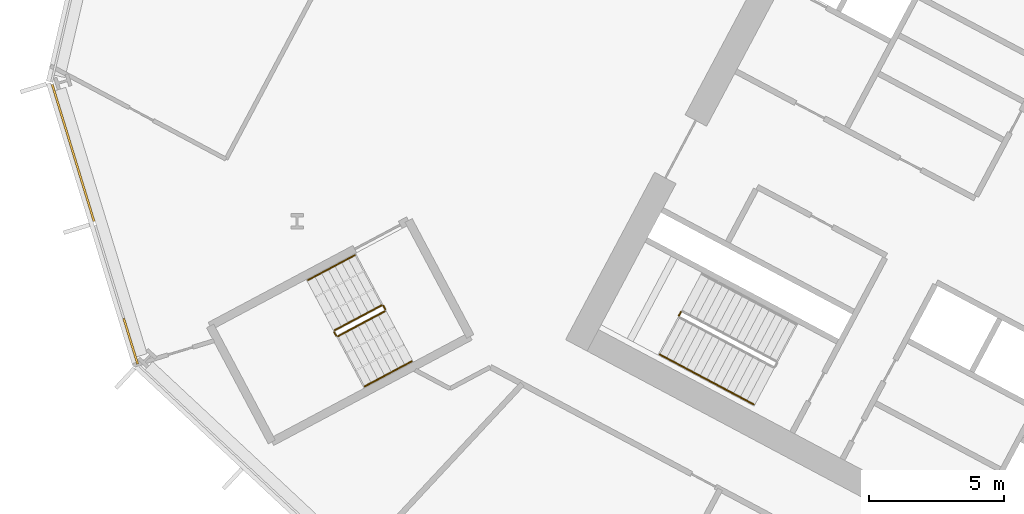
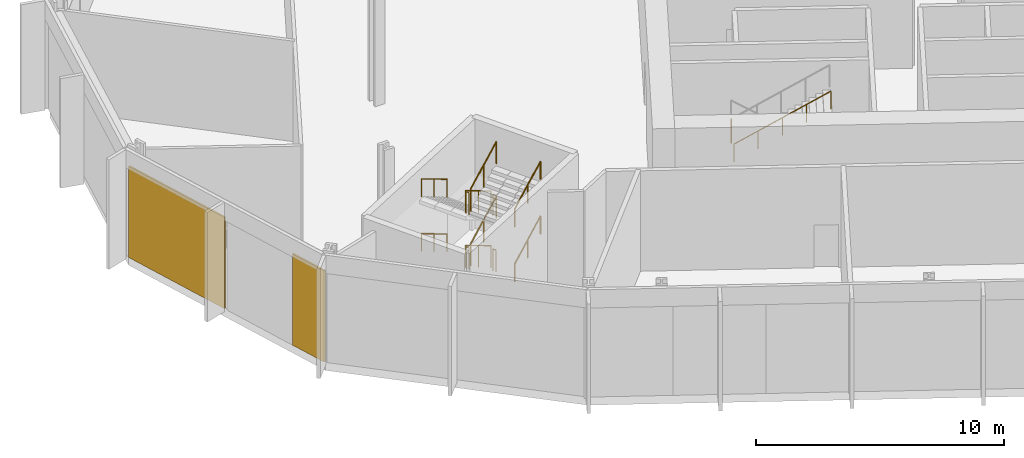
# One storey, part 22 of 31: 14 railings, 2 coverings, 1 element without a shape of its own.
"""IFC4 building model written with IfcOpenShell, lengths in metres."""

from ifc_helpers import new_model, si_unit, direction, frame, origin, origin_2d, place, context, subcontext, project, spatial, polyline, rectangle, outline, extrude, material, layer, layer_set, type_object, element, aggregate, save


model = new_model("IFC4")

# Units and contexts
model_context = context("Model", 3, precision=1e-05, world=origin(), true_north=direction((0.0, 1.0)))
body_context = subcontext(model_context, "Body", "Model", "MODEL_VIEW")
ifc_project = project(units=[si_unit("LENGTHUNIT", "METRE"), si_unit("AREAUNIT", "SQUARE_METRE"), si_unit("VOLUMEUNIT", "CUBIC_METRE"), si_unit("PLANEANGLEUNIT", "RADIAN"), si_unit("MASSUNIT", "GRAM", prefix="KILO")], contexts=[model_context])

# Site, building, storey
site_placement = place(None, origin())
site = spatial("IfcSite", under=ifc_project, at=site_placement, CompositionType="ELEMENT")
building_placement = place(site_placement, origin())
building = spatial("IfcBuilding", under=site, at=building_placement, Name="Cormorant Relay Tower", CompositionType="ELEMENT")
storey_placement = place(building_placement, frame((0.0, 0.0, 33.800048828125)))
storey = spatial("IfcBuildingStorey", under=building, at=storey_placement, Name="L06", CompositionType="ELEMENT", Elevation=33.800048828125)

# Curtain wall, coverings
ifc_material_1 = material(Name="Aluminium 6063-T6 anodised bronze", Category="aluminium")
ifc_layer_1 = layer(ifc_material_1, 0.235107421875)
ifc_layer_set_1 = layer_set([ifc_layer_1], Name="CW6 data hall curtain wall with mineral wool panels")
curtain_wall_type = type_object("IfcCurtainWallType", Name="CW6 data hall curtain wall with mineral wool panels", PredefinedType="NOTDEFINED", material=ifc_layer_set_1)
curtain_wall_placement = place(storey_placement, origin())
curtain_wall = element("IfcCurtainWall", 1, at=curtain_wall_placement, inside=storey, type_object=curtain_wall_type, Name="CW6 curtain wall 12", PredefinedType="NOTDEFINED")
ifc_material_2 = material(Name="Mineral wool cored anodised bronze aluminium cassette panel", Category="aluminium")
ifc_layer_2 = layer(ifc_material_2, 0.074951171875)
ifc_layer_set_2 = layer_set([ifc_layer_2], Name="CW6 mineral wool cassette panel 75")
covering_type = type_object("IfcCoveringType", Name="CW6 mineral wool cassette panel 75", PredefinedType="CLADDING", material=ifc_layer_set_2)
covering_1_placement = place(storey_placement, frame((-59.961181640625, 17.783447265625, 0.0), z_axis=(0.0, 0.0, 1.0), x_axis=(0.292371704723, -0.956304755963, 0.0)))
covering_1 = element("IfcCovering", 2, at=covering_1_placement, type_object=covering_type, Name="CW6 panel S00", PredefinedType="CLADDING", context=body_context, shape_type="SweptSolid", body=[
    extrude(rectangle(XDim=5.28515625, YDim=0.074951171875, at=origin_2d()), origin(), (0.0, 0.0, 1.0), 4.5),
])
covering_2_placement = place(storey_placement, frame((-57.834716796875, 10.82861328125, 0.0), z_axis=(0.0, 0.0, 1.0), x_axis=(0.292371704723, -0.956304755963, 0.0)))
covering_2 = element("IfcCovering", 3, at=covering_2_placement, type_object=covering_type, Name="CW6 panel S02", PredefinedType="CLADDING", context=body_context, shape_type="SweptSolid", body=[
    extrude(rectangle(XDim=1.76025390625, YDim=0.074951171875, at=origin_2d()), origin(), (0.0, 0.0, 1.0), 4.5),
])
aggregate(curtain_wall, [covering_1, covering_2])

# Railings
ifc_material_3 = material(Name="Steel ASTM A572 Grade 50 (Fy 345 MPa)", Category="steel")
railing_type_1 = type_object("IfcRailingType", Name="Stair guard 1100", PredefinedType="GUARDRAIL", material=ifc_material_3)
railing_1_placement = place(storey_placement, frame((-37.52099609375, 11.908935546875, 2.699951171875)))
element("IfcRailing", 4, at=railing_1_placement, inside=storey, type_object=railing_type_1, Name="L06 A2 stair guard 2", PredefinedType="GUARDRAIL", context=body_context, shape_type="SweptSolid", body=[
    extrude(outline(polyline([(0.022216796875, 0.00927734375), (0.00927734375, 0.022216796875), (-0.00927734375, 0.022216796875), (-0.022216796875, 0.00927734375), (-0.022216796875, -0.00927734375), (-0.00927734375, -0.022216796875), (0.00927734375, -0.022216796875), (0.022216796875, -0.00927734375), (0.022216796875, 0.00927734375)])), frame((0.0, 0.0, 1.076171875), z_axis=(-0.469234640946, -0.883073525669, 0.0), x_axis=(0.883073525669, -0.469234640946, 0.0)), (0.0, 0.0, 1.0), 0.14990234375),
    extrude(outline(polyline([(0.019287109375, 0.008056640625), (0.008056640625, 0.019287109375), (-0.008056640625, 0.019287109375), (-0.019287109375, 0.008056640625), (-0.019287109375, -0.008056640625), (-0.008056640625, -0.019287109375), (0.008056640625, -0.019287109375), (0.019287109375, -0.008056640625), (0.019287109375, 0.008056640625)])), origin(), (0.0, 0.0, 1.0), 1.052001953125),
    extrude(outline(polyline([(0.019287109375, 0.008056640625), (0.008056640625, 0.019287109375), (-0.008056640625, 0.019287109375), (-0.019287109375, 0.008056640625), (-0.019287109375, -0.008056640625), (-0.008056640625, -0.019287109375), (0.008056640625, -0.019287109375), (0.019287109375, -0.008056640625), (0.019287109375, 0.008056640625)])), frame((-0.0703125, -0.13232421875, 0.0)), (0.0, 0.0, 1.0), 1.052001953125),
])
railing_2_placement = place(storey_placement, frame((-48.5693359375, 12.155517578125, 0.168701171875)))
element("IfcRailing", 5, at=railing_2_placement, inside=storey, type_object=railing_type_1, Name="L06 RP1 stair guard 1", PredefinedType="GUARDRAIL", context=body_context, shape_type="SweptSolid", body=[
    extrude(outline(polyline([(0.022216796875, 0.00927734375), (0.00927734375, 0.022216796875), (-0.00927734375, 0.022216796875), (-0.022216796875, 0.00927734375), (-0.022216796875, -0.00927734375), (-0.00927734375, -0.022216796875), (0.00927734375, -0.022216796875), (0.022216796875, -0.00927734375), (0.022216796875, 0.00927734375)])), frame((0.0, 0.0, 1.076171875), z_axis=(-0.756267991755, -0.402084082512, 0.516127034012), x_axis=(0.469443581604, -0.882962470149, 0.0)), (0.0, 0.0, 1.0), 2.28857421875),
    extrude(outline(polyline([(0.019287109375, 0.008056640625), (0.008056640625, 0.019287109375), (-0.008056640625, 0.019287109375), (-0.019287109375, 0.008056640625), (-0.019287109375, -0.008056640625), (-0.008056640625, -0.019287109375), (0.008056640625, -0.019287109375), (0.019287109375, -0.008056640625), (0.019287109375, 0.008056640625)])), origin(), (0.0, 0.0, 1.0), 1.052001953125),
    extrude(outline(polyline([(0.019287109375, 0.008056640625), (0.008056640625, 0.019287109375), (-0.008056640625, 0.019287109375), (-0.019287109375, 0.008056640625), (-0.019287109375, -0.008056640625), (-0.008056640625, -0.019287109375), (0.008056640625, -0.019287109375), (0.019287109375, -0.008056640625), (0.019287109375, 0.008056640625)])), frame((-0.865234375, -0.4599609375, 0.590576171875)), (0.0, 0.0, 1.0), 1.052001953125),
    extrude(outline(polyline([(0.019287109375, 0.008056640625), (0.008056640625, 0.019287109375), (-0.008056640625, 0.019287109375), (-0.019287109375, 0.008056640625), (-0.019287109375, -0.008056640625), (-0.008056640625, -0.019287109375), (0.008056640625, -0.019287109375), (0.019287109375, -0.008056640625), (0.019287109375, 0.008056640625)])), frame((-1.730712890625, -0.920166015625, 1.18115234375)), (0.0, 0.0, 1.0), 1.052001953125),
])
railing_3_placement = place(storey_placement, frame((-50.320556640625, 11.167724609375, 1.349853515625)))
element("IfcRailing", 6, at=railing_3_placement, inside=storey, type_object=railing_type_1, Name="L06 RP1 stair guard 2", PredefinedType="GUARDRAIL", context=body_context, shape_type="SweptSolid", body=[
    extrude(outline(polyline([(0.022216796875, 0.00927734375), (0.00927734375, 0.022216796875), (-0.00927734375, 0.022216796875), (-0.022216796875, 0.00927734375), (-0.022216796875, -0.00927734375), (-0.00927734375, -0.022216796875), (0.00927734375, -0.022216796875), (0.022216796875, -0.00927734375), (0.022216796875, 0.00927734375)])), frame((0.0, 0.0, 1.076171875), z_axis=(0.46856034887, -0.8834314911, 0.0), x_axis=(0.8834314911, 0.46856034887, 0.0)), (0.0, 0.0, 1.0), 0.150146484375),
    extrude(outline(polyline([(0.019287109375, 0.008056640625), (0.008056640625, 0.019287109375), (-0.008056640625, 0.019287109375), (-0.019287109375, 0.008056640625), (-0.019287109375, -0.008056640625), (-0.008056640625, -0.019287109375), (0.008056640625, -0.019287109375), (0.019287109375, -0.008056640625), (0.019287109375, 0.008056640625)])), origin(), (0.0, 0.0, 1.0), 1.052001953125),
    extrude(outline(polyline([(0.019287109375, 0.008056640625), (0.008056640625, 0.019287109375), (-0.008056640625, 0.019287109375), (-0.019287109375, 0.008056640625), (-0.019287109375, -0.008056640625), (-0.008056640625, -0.019287109375), (0.008056640625, -0.019287109375), (0.019287109375, -0.008056640625), (0.019287109375, 0.008056640625)])), frame((0.0703125, -0.132568359375, 0.0)), (0.0, 0.0, 1.0), 1.052001953125),
])
railing_4_placement = place(storey_placement, frame((-50.1826171875, 11.014404296875, 1.518798828125)))
element("IfcRailing", 7, at=railing_4_placement, inside=storey, type_object=railing_type_1, Name="L06 RP1 stair guard 3", PredefinedType="GUARDRAIL", context=body_context, shape_type="SweptSolid", body=[
    extrude(outline(polyline([(0.022216796875, 0.00927734375), (0.00927734375, 0.022216796875), (-0.00927734375, 0.022216796875), (-0.022216796875, 0.00927734375), (-0.022216796875, -0.00927734375), (-0.00927734375, -0.022216796875), (0.00927734375, -0.022216796875), (0.022216796875, -0.00927734375), (0.022216796875, 0.00927734375)])), frame((0.0, 0.0, 1.076171875), z_axis=(0.756267991755, 0.402084082512, 0.516127034012), x_axis=(-0.469443581604, 0.882962470149, 0.0)), (0.0, 0.0, 1.0), 2.28857421875),
    extrude(outline(polyline([(0.019287109375, 0.008056640625), (0.008056640625, 0.019287109375), (-0.008056640625, 0.019287109375), (-0.019287109375, 0.008056640625), (-0.019287109375, -0.008056640625), (-0.008056640625, -0.019287109375), (0.008056640625, -0.019287109375), (0.019287109375, -0.008056640625), (0.019287109375, 0.008056640625)])), origin(), (0.0, 0.0, 1.0), 1.052001953125),
    extrude(outline(polyline([(0.019287109375, 0.008056640625), (0.008056640625, 0.019287109375), (-0.008056640625, 0.019287109375), (-0.019287109375, 0.008056640625), (-0.019287109375, -0.008056640625), (-0.008056640625, -0.019287109375), (0.008056640625, -0.019287109375), (0.019287109375, -0.008056640625), (0.019287109375, 0.008056640625)])), frame((0.865234375, 0.4599609375, 0.590576171875)), (0.0, 0.0, 1.0), 1.052001953125),
    extrude(outline(polyline([(0.019287109375, 0.008056640625), (0.008056640625, 0.019287109375), (-0.008056640625, 0.019287109375), (-0.019287109375, 0.008056640625), (-0.019287109375, -0.008056640625), (-0.008056640625, -0.019287109375), (0.008056640625, -0.019287109375), (0.019287109375, -0.008056640625), (0.019287109375, 0.008056640625)])), frame((1.730712890625, 0.920166015625, 1.18115234375)), (0.0, 0.0, 1.0), 1.052001953125),
])
railing_5_placement = place(storey_placement, frame((-48.501708984375, 12.134765625, 2.699951171875)))
element("IfcRailing", 8, at=railing_5_placement, inside=storey, type_object=railing_type_1, Name="L06 RP1 stair guard 4", PredefinedType="GUARDRAIL", context=body_context, shape_type="SweptSolid", body=[
    extrude(outline(polyline([(0.022216796875, 0.00927734375), (0.00927734375, 0.022216796875), (-0.00927734375, 0.022216796875), (-0.022216796875, 0.00927734375), (-0.022216796875, -0.00927734375), (-0.00927734375, -0.022216796875), (0.00927734375, -0.022216796875), (0.022216796875, -0.00927734375), (0.022216796875, 0.00927734375)])), frame((0.0, 0.0, 1.076171875), z_axis=(0.46856034887, -0.8834314911, 0.0), x_axis=(0.8834314911, 0.46856034887, 0.0)), (0.0, 0.0, 1.0), 0.150146484375),
    extrude(outline(polyline([(0.019287109375, 0.008056640625), (0.008056640625, 0.019287109375), (-0.008056640625, 0.019287109375), (-0.019287109375, 0.008056640625), (-0.019287109375, -0.008056640625), (-0.008056640625, -0.019287109375), (0.008056640625, -0.019287109375), (0.019287109375, -0.008056640625), (0.019287109375, 0.008056640625)])), origin(), (0.0, 0.0, 1.0), 1.052001953125),
    extrude(outline(polyline([(0.019287109375, 0.008056640625), (0.008056640625, 0.019287109375), (-0.008056640625, 0.019287109375), (-0.019287109375, 0.008056640625), (-0.019287109375, -0.008056640625), (-0.008056640625, -0.019287109375), (0.008056640625, -0.019287109375), (0.019287109375, -0.008056640625), (0.019287109375, 0.008056640625)])), frame((0.0703125, -0.132568359375, 0.0)), (0.0, 0.0, 1.0), 1.052001953125),
])
railing_6_placement = place(storey_placement, frame((-48.5693359375, 12.155517578125, 2.86865234375)))
element("IfcRailing", 9, at=railing_6_placement, inside=storey, type_object=railing_type_1, Name="L06 RP1 stair guard 5", PredefinedType="GUARDRAIL", context=body_context, shape_type="SweptSolid", body=[
    extrude(outline(polyline([(0.022216796875, 0.00927734375), (0.00927734375, 0.022216796875), (-0.00927734375, 0.022216796875), (-0.022216796875, 0.00927734375), (-0.022216796875, -0.00927734375), (-0.00927734375, -0.022216796875), (0.00927734375, -0.022216796875), (0.022216796875, -0.00927734375), (0.022216796875, 0.00927734375)])), frame((0.0, 0.0, 1.076171875), z_axis=(-0.756226349707, -0.402061942735, 0.516205290765), x_axis=(0.469443581604, -0.882962470149, 0.0)), (0.0, 0.0, 1.0), 2.28857421875),
    extrude(outline(polyline([(0.019287109375, 0.008056640625), (0.008056640625, 0.019287109375), (-0.008056640625, 0.019287109375), (-0.019287109375, 0.008056640625), (-0.019287109375, -0.008056640625), (-0.008056640625, -0.019287109375), (0.008056640625, -0.019287109375), (0.019287109375, -0.008056640625), (0.019287109375, 0.008056640625)])), origin(), (0.0, 0.0, 1.0), 1.052001953125),
    extrude(outline(polyline([(0.019287109375, 0.008056640625), (0.008056640625, 0.019287109375), (-0.008056640625, 0.019287109375), (-0.019287109375, 0.008056640625), (-0.019287109375, -0.008056640625), (-0.008056640625, -0.019287109375), (0.008056640625, -0.019287109375), (0.019287109375, -0.008056640625), (0.019287109375, 0.008056640625)])), frame((-0.865234375, -0.4599609375, 0.5908203125)), (0.0, 0.0, 1.0), 1.052001953125),
    extrude(outline(polyline([(0.019287109375, 0.008056640625), (0.008056640625, 0.019287109375), (-0.008056640625, 0.019287109375), (-0.019287109375, 0.008056640625), (-0.019287109375, -0.008056640625), (-0.008056640625, -0.019287109375), (0.008056640625, -0.019287109375), (0.019287109375, -0.008056640625), (0.019287109375, 0.008056640625)])), frame((-1.730712890625, -0.920166015625, 1.181396484375)), (0.0, 0.0, 1.0), 1.052001953125),
])
railing_7_placement = place(storey_placement, frame((-50.320556640625, 11.167724609375, 4.050048828125)))
element("IfcRailing", 10, at=railing_7_placement, inside=storey, type_object=railing_type_1, Name="L06 RP1 stair guard 6", PredefinedType="GUARDRAIL", context=body_context, shape_type="SweptSolid", body=[
    extrude(outline(polyline([(0.022216796875, 0.00927734375), (0.00927734375, 0.022216796875), (-0.00927734375, 0.022216796875), (-0.022216796875, 0.00927734375), (-0.022216796875, -0.00927734375), (-0.00927734375, -0.022216796875), (0.00927734375, -0.022216796875), (0.022216796875, -0.00927734375), (0.022216796875, 0.00927734375)])), frame((0.0, 0.0, 1.076171875), z_axis=(0.46856034887, -0.8834314911, 0.0), x_axis=(0.8834314911, 0.46856034887, 0.0)), (0.0, 0.0, 1.0), 0.150146484375),
    extrude(outline(polyline([(0.019287109375, 0.008056640625), (0.008056640625, 0.019287109375), (-0.008056640625, 0.019287109375), (-0.019287109375, 0.008056640625), (-0.019287109375, -0.008056640625), (-0.008056640625, -0.019287109375), (0.008056640625, -0.019287109375), (0.019287109375, -0.008056640625), (0.019287109375, 0.008056640625)])), origin(), (0.0, 0.0, 1.0), 1.052001953125),
    extrude(outline(polyline([(0.019287109375, 0.008056640625), (0.008056640625, 0.019287109375), (-0.008056640625, 0.019287109375), (-0.019287109375, 0.008056640625), (-0.019287109375, -0.008056640625), (-0.008056640625, -0.019287109375), (0.008056640625, -0.019287109375), (0.019287109375, -0.008056640625), (0.019287109375, 0.008056640625)])), frame((0.0703125, -0.132568359375, 0.0)), (0.0, 0.0, 1.0), 1.052001953125),
])
railing_8_placement = place(storey_placement, frame((-50.1826171875, 11.014404296875, 4.21875)))
element("IfcRailing", 11, at=railing_8_placement, inside=storey, type_object=railing_type_1, Name="L06 RP1 stair guard 7", PredefinedType="GUARDRAIL", context=body_context, shape_type="SweptSolid", body=[
    extrude(outline(polyline([(0.022216796875, 0.00927734375), (0.00927734375, 0.022216796875), (-0.00927734375, 0.022216796875), (-0.022216796875, 0.00927734375), (-0.022216796875, -0.00927734375), (-0.00927734375, -0.022216796875), (0.00927734375, -0.022216796875), (0.022216796875, -0.00927734375), (0.022216796875, 0.00927734375)])), frame((0.0, 0.0, 1.076171875), z_axis=(0.756267991755, 0.402084082512, 0.516127034012), x_axis=(-0.469443581604, 0.882962470149, 0.0)), (0.0, 0.0, 1.0), 2.28857421875),
    extrude(outline(polyline([(0.019287109375, 0.008056640625), (0.008056640625, 0.019287109375), (-0.008056640625, 0.019287109375), (-0.019287109375, 0.008056640625), (-0.019287109375, -0.008056640625), (-0.008056640625, -0.019287109375), (0.008056640625, -0.019287109375), (0.019287109375, -0.008056640625), (0.019287109375, 0.008056640625)])), origin(), (0.0, 0.0, 1.0), 1.052001953125),
    extrude(outline(polyline([(0.019287109375, 0.008056640625), (0.008056640625, 0.019287109375), (-0.008056640625, 0.019287109375), (-0.019287109375, 0.008056640625), (-0.019287109375, -0.008056640625), (-0.008056640625, -0.019287109375), (0.008056640625, -0.019287109375), (0.019287109375, -0.008056640625), (0.019287109375, 0.008056640625)])), frame((0.865234375, 0.4599609375, 0.590576171875)), (0.0, 0.0, 1.0), 1.052001953125),
    extrude(outline(polyline([(0.019287109375, 0.008056640625), (0.008056640625, 0.019287109375), (-0.008056640625, 0.019287109375), (-0.019287109375, 0.008056640625), (-0.019287109375, -0.008056640625), (-0.008056640625, -0.019287109375), (0.008056640625, -0.019287109375), (0.019287109375, -0.008056640625), (0.019287109375, 0.008056640625)])), frame((1.730712890625, 0.920166015625, 1.18115234375)), (0.0, 0.0, 1.0), 1.052001953125),
])
railing_9_placement = place(storey_placement, frame((-48.501708984375, 12.134765625, 0.0)))
element("IfcRailing", 12, at=railing_9_placement, inside=storey, type_object=railing_type_1, Name="L06 RP1 stair guard 8", PredefinedType="GUARDRAIL", context=body_context, shape_type="SweptSolid", body=[
    extrude(outline(polyline([(0.022216796875, 0.00927734375), (0.00927734375, 0.022216796875), (-0.00927734375, 0.022216796875), (-0.022216796875, 0.00927734375), (-0.022216796875, -0.00927734375), (-0.00927734375, -0.022216796875), (0.00927734375, -0.022216796875), (0.022216796875, -0.00927734375), (0.022216796875, 0.00927734375)])), frame((0.0, 0.0, 1.076171875), z_axis=(0.46856034887, -0.8834314911, 0.0), x_axis=(0.8834314911, 0.46856034887, 0.0)), (0.0, 0.0, 1.0), 0.150146484375),
    extrude(outline(polyline([(0.019287109375, 0.008056640625), (0.008056640625, 0.019287109375), (-0.008056640625, 0.019287109375), (-0.019287109375, 0.008056640625), (-0.019287109375, -0.008056640625), (-0.008056640625, -0.019287109375), (0.008056640625, -0.019287109375), (0.019287109375, -0.008056640625), (0.019287109375, 0.008056640625)])), origin(), (0.0, 0.0, 1.0), 1.052001953125),
    extrude(outline(polyline([(0.019287109375, 0.008056640625), (0.008056640625, 0.019287109375), (-0.008056640625, 0.019287109375), (-0.019287109375, 0.008056640625), (-0.019287109375, -0.008056640625), (-0.008056640625, -0.019287109375), (0.008056640625, -0.019287109375), (0.019287109375, -0.008056640625), (0.019287109375, 0.008056640625)])), frame((0.0703125, -0.132568359375, 0.0)), (0.0, 0.0, 1.0), 1.052001953125),
])
ifc_material_4 = material(Name="Steel ASTM A572 Grade 50 (Fy 345 MPa)", Category="steel")
railing_type_2 = type_object("IfcRailingType", Name="Stair handrail 900", PredefinedType="HANDRAIL", material=ifc_material_4)
railing_10_placement = place(storey_placement, frame((-38.29833984375, 10.34033203125, 2.8798828125)))
element("IfcRailing", 13, at=railing_10_placement, inside=storey, type_object=railing_type_2, Name="L06 A2 stair handrail 2", PredefinedType="HANDRAIL", context=body_context, shape_type="SweptSolid", body=[
    extrude(outline(polyline([(0.022216796875, 0.00927734375), (0.00927734375, 0.022216796875), (-0.00927734375, 0.022216796875), (-0.022216796875, 0.00927734375), (-0.022216796875, -0.00927734375), (-0.00927734375, -0.022216796875), (0.00927734375, -0.022216796875), (0.022216796875, -0.00927734375), (0.022216796875, 0.00927734375)])), frame((0.0, 0.0, 0.8759765625), z_axis=(0.74271721126, -0.394907409077, 0.540758062681), x_axis=(0.469469396681, 0.882948744594, 0.0)), (0.0, 0.0, 1.0), 4.66015625),
    extrude(outline(polyline([(0.019287109375, 0.008056640625), (0.008056640625, 0.019287109375), (-0.008056640625, 0.019287109375), (-0.019287109375, 0.008056640625), (-0.019287109375, -0.008056640625), (-0.008056640625, -0.019287109375), (0.008056640625, -0.019287109375), (0.019287109375, -0.008056640625), (0.019287109375, 0.008056640625)])), origin(), (0.0, 0.0, 1.0), 0.851806640625),
    extrude(outline(polyline([(0.019287109375, 0.008056640625), (0.008056640625, 0.019287109375), (-0.008056640625, 0.019287109375), (-0.019287109375, 0.008056640625), (-0.019287109375, -0.008056640625), (-0.008056640625, -0.019287109375), (0.008056640625, -0.019287109375), (0.019287109375, -0.008056640625), (0.019287109375, 0.008056640625)])), frame((0.865234375, -0.4599609375, 0.6298828125)), (0.0, 0.0, 1.0), 0.851806640625),
    extrude(outline(polyline([(0.019287109375, 0.008056640625), (0.008056640625, 0.019287109375), (-0.008056640625, 0.019287109375), (-0.019287109375, 0.008056640625), (-0.019287109375, -0.008056640625), (-0.008056640625, -0.019287109375), (0.008056640625, -0.019287109375), (0.019287109375, -0.008056640625), (0.019287109375, 0.008056640625)])), frame((1.73046875, -0.920166015625, 1.260009765625)), (0.0, 0.0, 1.0), 0.851806640625),
    extrude(outline(polyline([(0.019287109375, 0.008056640625), (0.008056640625, 0.019287109375), (-0.008056640625, 0.019287109375), (-0.019287109375, 0.008056640625), (-0.019287109375, -0.008056640625), (-0.008056640625, -0.019287109375), (0.008056640625, -0.019287109375), (0.019287109375, -0.008056640625), (0.019287109375, 0.008056640625)])), frame((2.595947265625, -1.38037109375, 1.89013671875)), (0.0, 0.0, 1.0), 0.851806640625),
    extrude(outline(polyline([(0.019287109375, 0.008056640625), (0.008056640625, 0.019287109375), (-0.008056640625, 0.019287109375), (-0.019287109375, 0.008056640625), (-0.019287109375, -0.008056640625), (-0.008056640625, -0.019287109375), (0.008056640625, -0.019287109375), (0.019287109375, -0.008056640625), (0.019287109375, 0.008056640625)])), frame((3.461181640625, -1.84033203125, 2.52001953125)), (0.0, 0.0, 1.0), 0.851806640625),
])
railing_11_placement = place(storey_placement, frame((-49.55517578125, 14.009521484375, 0.168701171875)))
element("IfcRailing", 14, at=railing_11_placement, inside=storey, type_object=railing_type_2, Name="L06 RP1 stair handrail 1", PredefinedType="HANDRAIL", context=body_context, shape_type="SweptSolid", body=[
    extrude(outline(polyline([(0.022216796875, 0.00927734375), (0.00927734375, 0.022216796875), (-0.00927734375, 0.022216796875), (-0.022216796875, 0.00927734375), (-0.022216796875, -0.00927734375), (-0.00927734375, -0.022216796875), (0.00927734375, -0.022216796875), (0.022216796875, -0.00927734375), (0.022216796875, 0.00927734375)])), frame((0.0, 0.0, 0.8759765625), z_axis=(-0.756267991755, -0.402084082512, 0.516127034012), x_axis=(0.469443581604, -0.882962470149, 0.0)), (0.0, 0.0, 1.0), 2.28857421875),
    extrude(outline(polyline([(0.019287109375, 0.008056640625), (0.008056640625, 0.019287109375), (-0.008056640625, 0.019287109375), (-0.019287109375, 0.008056640625), (-0.019287109375, -0.008056640625), (-0.008056640625, -0.019287109375), (0.008056640625, -0.019287109375), (0.019287109375, -0.008056640625), (0.019287109375, 0.008056640625)])), origin(), (0.0, 0.0, 1.0), 0.851806640625),
    extrude(outline(polyline([(0.019287109375, 0.008056640625), (0.008056640625, 0.019287109375), (-0.008056640625, 0.019287109375), (-0.019287109375, 0.008056640625), (-0.019287109375, -0.008056640625), (-0.008056640625, -0.019287109375), (0.008056640625, -0.019287109375), (0.019287109375, -0.008056640625), (0.019287109375, 0.008056640625)])), frame((-0.865234375, -0.4599609375, 0.590576171875)), (0.0, 0.0, 1.0), 0.851806640625),
    extrude(outline(polyline([(0.019287109375, 0.008056640625), (0.008056640625, 0.019287109375), (-0.008056640625, 0.019287109375), (-0.019287109375, 0.008056640625), (-0.019287109375, -0.008056640625), (-0.008056640625, -0.019287109375), (0.008056640625, -0.019287109375), (0.019287109375, -0.008056640625), (0.019287109375, 0.008056640625)])), frame((-1.730712890625, -0.920166015625, 1.18115234375)), (0.0, 0.0, 1.0), 0.851806640625),
])
railing_12_placement = place(storey_placement, frame((-49.19677734375, 9.160400390625, 1.518798828125)))
element("IfcRailing", 15, at=railing_12_placement, inside=storey, type_object=railing_type_2, Name="L06 RP1 stair handrail 2", PredefinedType="HANDRAIL", context=body_context, shape_type="SweptSolid", body=[
    extrude(outline(polyline([(0.022216796875, 0.00927734375), (0.00927734375, 0.022216796875), (-0.00927734375, 0.022216796875), (-0.022216796875, 0.00927734375), (-0.022216796875, -0.00927734375), (-0.00927734375, -0.022216796875), (0.00927734375, -0.022216796875), (0.022216796875, -0.00927734375), (0.022216796875, 0.00927734375)])), frame((0.0, 0.0, 0.8759765625), z_axis=(0.756267991755, 0.402084082512, 0.516127034012), x_axis=(-0.469443581604, 0.882962470149, 0.0)), (0.0, 0.0, 1.0), 2.28857421875),
    extrude(outline(polyline([(0.019287109375, 0.008056640625), (0.008056640625, 0.019287109375), (-0.008056640625, 0.019287109375), (-0.019287109375, 0.008056640625), (-0.019287109375, -0.008056640625), (-0.008056640625, -0.019287109375), (0.008056640625, -0.019287109375), (0.019287109375, -0.008056640625), (0.019287109375, 0.008056640625)])), origin(), (0.0, 0.0, 1.0), 0.851806640625),
    extrude(outline(polyline([(0.019287109375, 0.008056640625), (0.008056640625, 0.019287109375), (-0.008056640625, 0.019287109375), (-0.019287109375, 0.008056640625), (-0.019287109375, -0.008056640625), (-0.008056640625, -0.019287109375), (0.008056640625, -0.019287109375), (0.019287109375, -0.008056640625), (0.019287109375, 0.008056640625)])), frame((0.865234375, 0.4599609375, 0.590576171875)), (0.0, 0.0, 1.0), 0.851806640625),
    extrude(outline(polyline([(0.019287109375, 0.008056640625), (0.008056640625, 0.019287109375), (-0.008056640625, 0.019287109375), (-0.019287109375, 0.008056640625), (-0.019287109375, -0.008056640625), (-0.008056640625, -0.019287109375), (0.008056640625, -0.019287109375), (0.019287109375, -0.008056640625), (0.019287109375, 0.008056640625)])), frame((1.730712890625, 0.920166015625, 1.18115234375)), (0.0, 0.0, 1.0), 0.851806640625),
])
railing_13_placement = place(storey_placement, frame((-49.55517578125, 14.009521484375, 2.86865234375)))
element("IfcRailing", 16, at=railing_13_placement, inside=storey, type_object=railing_type_2, Name="L06 RP1 stair handrail 3", PredefinedType="HANDRAIL", context=body_context, shape_type="SweptSolid", body=[
    extrude(outline(polyline([(0.022216796875, 0.00927734375), (0.00927734375, 0.022216796875), (-0.00927734375, 0.022216796875), (-0.022216796875, 0.00927734375), (-0.022216796875, -0.00927734375), (-0.00927734375, -0.022216796875), (0.00927734375, -0.022216796875), (0.022216796875, -0.00927734375), (0.022216796875, 0.00927734375)])), frame((0.0, 0.0, 0.8759765625), z_axis=(-0.756226349707, -0.402061942735, 0.516205290765), x_axis=(0.469443581604, -0.882962470149, 0.0)), (0.0, 0.0, 1.0), 2.28857421875),
    extrude(outline(polyline([(0.019287109375, 0.008056640625), (0.008056640625, 0.019287109375), (-0.008056640625, 0.019287109375), (-0.019287109375, 0.008056640625), (-0.019287109375, -0.008056640625), (-0.008056640625, -0.019287109375), (0.008056640625, -0.019287109375), (0.019287109375, -0.008056640625), (0.019287109375, 0.008056640625)])), origin(), (0.0, 0.0, 1.0), 0.851806640625),
    extrude(outline(polyline([(0.019287109375, 0.008056640625), (0.008056640625, 0.019287109375), (-0.008056640625, 0.019287109375), (-0.019287109375, 0.008056640625), (-0.019287109375, -0.008056640625), (-0.008056640625, -0.019287109375), (0.008056640625, -0.019287109375), (0.019287109375, -0.008056640625), (0.019287109375, 0.008056640625)])), frame((-0.865234375, -0.4599609375, 0.5908203125)), (0.0, 0.0, 1.0), 0.851806640625),
    extrude(outline(polyline([(0.019287109375, 0.008056640625), (0.008056640625, 0.019287109375), (-0.008056640625, 0.019287109375), (-0.019287109375, 0.008056640625), (-0.019287109375, -0.008056640625), (-0.008056640625, -0.019287109375), (0.008056640625, -0.019287109375), (0.019287109375, -0.008056640625), (0.019287109375, 0.008056640625)])), frame((-1.730712890625, -0.920166015625, 1.181396484375)), (0.0, 0.0, 1.0), 0.851806640625),
])
railing_14_placement = place(storey_placement, frame((-49.19677734375, 9.160400390625, 4.21875)))
element("IfcRailing", 17, at=railing_14_placement, inside=storey, type_object=railing_type_2, Name="L06 RP1 stair handrail 4", PredefinedType="HANDRAIL", context=body_context, shape_type="SweptSolid", body=[
    extrude(outline(polyline([(0.022216796875, 0.00927734375), (0.00927734375, 0.022216796875), (-0.00927734375, 0.022216796875), (-0.022216796875, 0.00927734375), (-0.022216796875, -0.00927734375), (-0.00927734375, -0.022216796875), (0.00927734375, -0.022216796875), (0.022216796875, -0.00927734375), (0.022216796875, 0.00927734375)])), frame((0.0, 0.0, 0.8759765625), z_axis=(0.756267991755, 0.402084082512, 0.516127034012), x_axis=(-0.469443581604, 0.882962470149, 0.0)), (0.0, 0.0, 1.0), 2.28857421875),
    extrude(outline(polyline([(0.019287109375, 0.008056640625), (0.008056640625, 0.019287109375), (-0.008056640625, 0.019287109375), (-0.019287109375, 0.008056640625), (-0.019287109375, -0.008056640625), (-0.008056640625, -0.019287109375), (0.008056640625, -0.019287109375), (0.019287109375, -0.008056640625), (0.019287109375, 0.008056640625)])), origin(), (0.0, 0.0, 1.0), 0.851806640625),
    extrude(outline(polyline([(0.019287109375, 0.008056640625), (0.008056640625, 0.019287109375), (-0.008056640625, 0.019287109375), (-0.019287109375, 0.008056640625), (-0.019287109375, -0.008056640625), (-0.008056640625, -0.019287109375), (0.008056640625, -0.019287109375), (0.019287109375, -0.008056640625), (0.019287109375, 0.008056640625)])), frame((0.865234375, 0.4599609375, 0.590576171875)), (0.0, 0.0, 1.0), 0.851806640625),
    extrude(outline(polyline([(0.019287109375, 0.008056640625), (0.008056640625, 0.019287109375), (-0.008056640625, 0.019287109375), (-0.019287109375, 0.008056640625), (-0.019287109375, -0.008056640625), (-0.008056640625, -0.019287109375), (0.008056640625, -0.019287109375), (0.019287109375, -0.008056640625), (0.019287109375, 0.008056640625)])), frame((1.730712890625, 0.920166015625, 1.18115234375)), (0.0, 0.0, 1.0), 0.851806640625),
])

save(model, "model.ifc")
